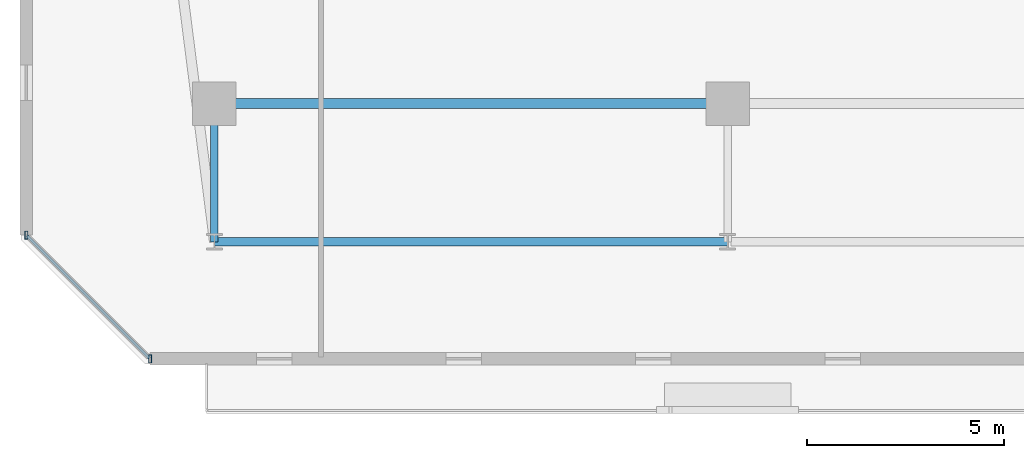
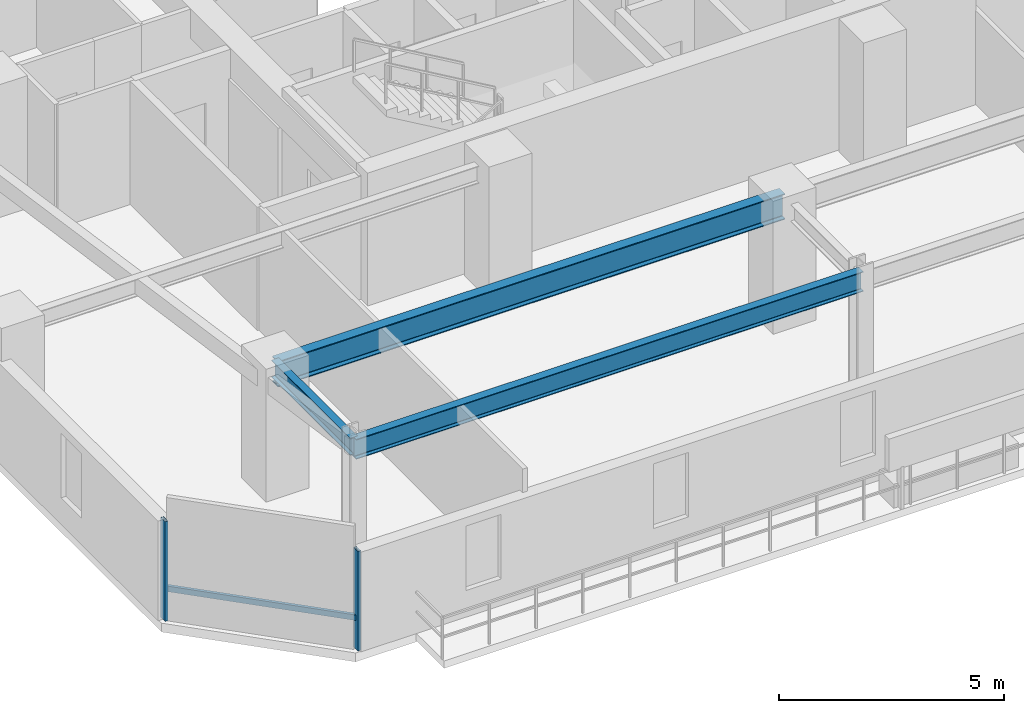
# One storey, part 3 of 33: 3 beams, 3 members, 1 element without a shape of its own.
"""IFC4 building model written with IfcOpenShell, lengths in metres."""

from ifc_helpers import new_model, si_unit, direction, frame, origin, origin_2d, place, context, subcontext, project, spatial, hollow_rectangle, i_section, extrude, material, material_profile, profile_set, type_object, element, aggregate, save


model = new_model("IFC4")

# Units and contexts
model_context = context("Model", 3, precision=1e-05, world=origin(), true_north=direction((0.0, 1.0)))
body_context = subcontext(model_context, "Body", "Model", "MODEL_VIEW")
ifc_project = project(units=[si_unit("LENGTHUNIT", "METRE"), si_unit("AREAUNIT", "SQUARE_METRE"), si_unit("VOLUMEUNIT", "CUBIC_METRE"), si_unit("PLANEANGLEUNIT", "RADIAN"), si_unit("MASSUNIT", "GRAM", prefix="KILO")], contexts=[model_context])

# Site, building, storey
site_placement = place(None, origin())
site = spatial("IfcSite", under=ifc_project, at=site_placement, CompositionType="ELEMENT")
building_placement = place(site_placement, origin())
building = spatial("IfcBuilding", under=site, at=building_placement, Name="Thornwick Lancets Civic Towers", CompositionType="ELEMENT")
storey_placement = place(building_placement, frame((0.0, 0.0, 163.5)))
storey = spatial("IfcBuildingStorey", under=building, at=storey_placement, Name="L43", CompositionType="ELEMENT", Elevation=163.5)

# Beams
ifc_material_1 = material(Name="Steel S355JR", Category="steel")
ifc_material_profile_1 = material_profile(ifc_material_1, i_section(OverallWidth=0.210693359375, OverallDepth=0.53955078125, WebThickness=0.01171875, FlangeThickness=0.018798828125, FilletRadius=0.0126953125, at=origin_2d()), Name="UKB 533x210x109")
ifc_profile_set_1 = profile_set([ifc_material_profile_1], Name="Steel S355JR")
beam_type_1 = type_object("IfcBeamType", Name="BM_EDGE_533_109", PredefinedType="SPANDREL", material=ifc_profile_set_1)
beam_1_placement = place(storey_placement, frame((12.5, 6.199951171875, 3.09033203125), z_axis=(1.0, 0.0, 0.0), x_axis=(0.0, 1.0, 0.0)))
element("IfcBeam", 1, at=beam_1_placement, inside=storey, type_object=beam_type_1, Name="BM-EDGE-L43-A-S0-1", PredefinedType="SPANDREL", context=body_context, shape_type="SweptSolid", body=[
    extrude(i_section(OverallWidth=0.210693359375, OverallDepth=0.53955078125, WebThickness=0.01171875, FlangeThickness=0.018798828125, FilletRadius=0.0126953125, at=origin_2d()), origin(), (0.0, 0.0, 1.0), 13.0),
])
ifc_material_profile_2 = material_profile(ifc_material_1, i_section(OverallWidth=0.255859375, OverallDepth=0.69287109375, WebThickness=0.014404296875, FlangeThickness=0.023681640625, FilletRadius=0.01513671875, at=origin_2d()), Name="UKB 686x254x170")
ifc_profile_set_2 = profile_set([ifc_material_profile_2], Name="Steel S355JR")
beam_type_2 = type_object("IfcBeamType", Name="BM_GIRD_686_170", PredefinedType="BEAM", material=ifc_profile_set_2)
beam_2_placement = place(storey_placement, frame((12.5, 9.699951171875, 3.013671875), z_axis=(1.0, 0.0, 0.0), x_axis=(0.0, 1.0, 0.0)))
element("IfcBeam", 2, at=beam_2_placement, inside=storey, type_object=beam_type_2, Name="BM-SPINE-L43-A-0-1", PredefinedType="BEAM", context=body_context, shape_type="SweptSolid", body=[
    extrude(i_section(OverallWidth=0.255859375, OverallDepth=0.69287109375, WebThickness=0.014404296875, FlangeThickness=0.023681640625, FilletRadius=0.01513671875, at=origin_2d()), origin(), (0.0, 0.0, 1.0), 13.0),
])
ifc_material_profile_3 = material_profile(ifc_material_1, i_section(OverallWidth=0.19287109375, OverallDepth=0.46728515625, WebThickness=0.011474609375, FlangeThickness=0.01953125, FilletRadius=0.01025390625, at=origin_2d()), Name="UKB 457x191x98")
ifc_profile_set_3 = profile_set([ifc_material_profile_3], Name="Steel S355JR")
beam_type_3 = type_object("IfcBeamType", Name="BM_JOIST_457_98", PredefinedType="JOIST", material=ifc_profile_set_3)
beam_3_placement = place(storey_placement, frame((12.5, 9.699951171875, 3.12646484375), z_axis=(0.0, -1.0, 0.0), x_axis=(1.0, 0.0, 0.0)))
element("IfcBeam", 3, at=beam_3_placement, inside=storey, type_object=beam_type_3, Name="BM-RAD-L43-A01", PredefinedType="JOIST", context=body_context, shape_type="SweptSolid", body=[
    extrude(i_section(OverallWidth=0.19287109375, OverallDepth=0.46728515625, WebThickness=0.011474609375, FlangeThickness=0.01953125, FilletRadius=0.01025390625, at=origin_2d()), origin(), (0.0, 0.0, 1.0), 3.5),
])

# Curtain wall, members
ifc_material_2 = material(Name="Mid-zone chamfered-corner unitised glass curtain wall", Category="glass")
curtain_wall_type = type_object("IfcCurtainWallType", Name="CW_SYS_04", PredefinedType="NOTDEFINED", material=ifc_material_2)
curtain_wall_placement = place(storey_placement, origin())
curtain_wall = element("IfcCurtainWall", 4, at=curtain_wall_placement, inside=storey, type_object=curtain_wall_type, Name="L43 Curtain Wall CW-L43-A-E7", PredefinedType="NOTDEFINED")
ifc_material_3 = material(Name="Thermally broken bronze aluminium S355", Category="steel")
ifc_material_profile_4 = material_profile(ifc_material_3, hollow_rectangle(XDim=0.080078125, YDim=0.199951171875, WallThickness=0.006103515625, at=origin_2d()), Name="RHS 200x80x6")
ifc_profile_set_4 = profile_set([ifc_material_profile_4], Name="Thermally broken bronze aluminium S355")
member_type_1 = type_object("IfcMemberType", Name="CW_MUL_200", PredefinedType="MULLION", material=ifc_profile_set_4)
member_1_placement = place(storey_placement, frame((7.7373046875, 6.37060546875, 0.0), z_axis=(0.0, 0.0, 1.0), x_axis=(1.0, 0.0, 0.0)))
member_1 = element("IfcMember", 5, at=member_1_placement, type_object=member_type_1, Name="CW-L43-A-E7 Mullion 0", PredefinedType="MULLION", context=body_context, shape_type="SweptSolid", body=[
    extrude(hollow_rectangle(XDim=0.080078125, YDim=0.199951171875, WallThickness=0.006103515625, at=origin_2d()), origin(), (0.0, 0.0, 1.0), 2.699951171875),
])
member_2_placement = place(storey_placement, frame((10.87060546875, 3.2373046875, 0.0), z_axis=(0.0, 0.0, 1.0), x_axis=(1.0, 0.0, 0.0)))
member_2 = element("IfcMember", 6, at=member_2_placement, type_object=member_type_1, Name="CW-L43-A-E7 Mullion 1", PredefinedType="MULLION", context=body_context, shape_type="SweptSolid", body=[
    extrude(hollow_rectangle(XDim=0.080078125, YDim=0.199951171875, WallThickness=0.006103515625, at=origin_2d()), origin(), (0.0, 0.0, 1.0), 2.699951171875),
])
ifc_material_profile_5 = material_profile(ifc_material_3, hollow_rectangle(XDim=0.074951171875, YDim=0.14990234375, WallThickness=0.0048828125, at=origin_2d()), Name="RHS 150x75x5")
ifc_profile_set_5 = profile_set([ifc_material_profile_5], Name="Thermally broken bronze aluminium S355")
member_type_2 = type_object("IfcMemberType", Name="CW_TRN_150", PredefinedType="USERDEFINED", material=ifc_profile_set_5)
member_3_placement = place(storey_placement, frame((7.751220703125, 6.3564453125, 0.85009765625), z_axis=(0.707106781187, -0.707106781187, 0.0), x_axis=(0.707106781187, 0.707106781187, 0.0)))
member_3 = element("IfcMember", 7, at=member_3_placement, type_object=member_type_2, Name="CW-L43-A-E7 Transom 0", ObjectType="TRANSOM", PredefinedType="USERDEFINED", context=body_context, shape_type="SweptSolid", body=[
    extrude(hollow_rectangle(XDim=0.074951171875, YDim=0.14990234375, WallThickness=0.0048828125, at=origin_2d()), origin(), (0.0, 0.0, 1.0), 4.391357421875),
])
aggregate(curtain_wall, [member_1, member_2, member_3])

save(model, "model.ifc")
